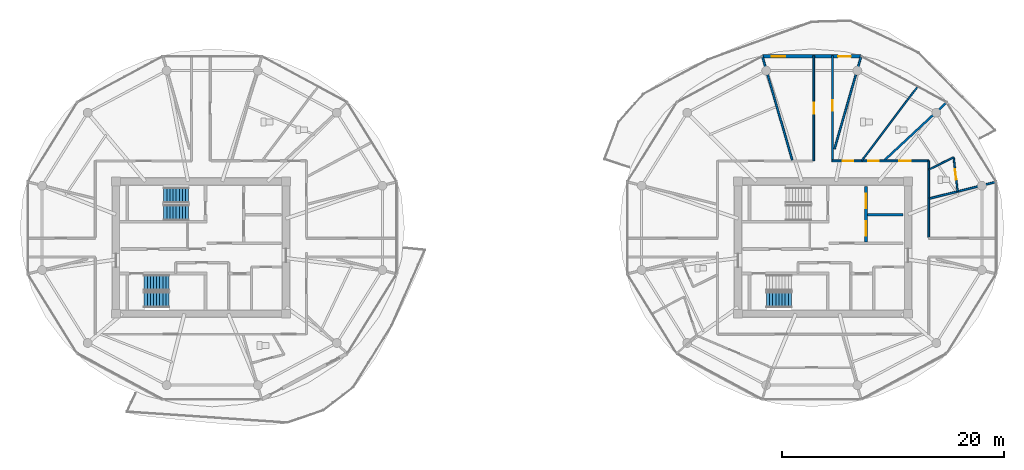
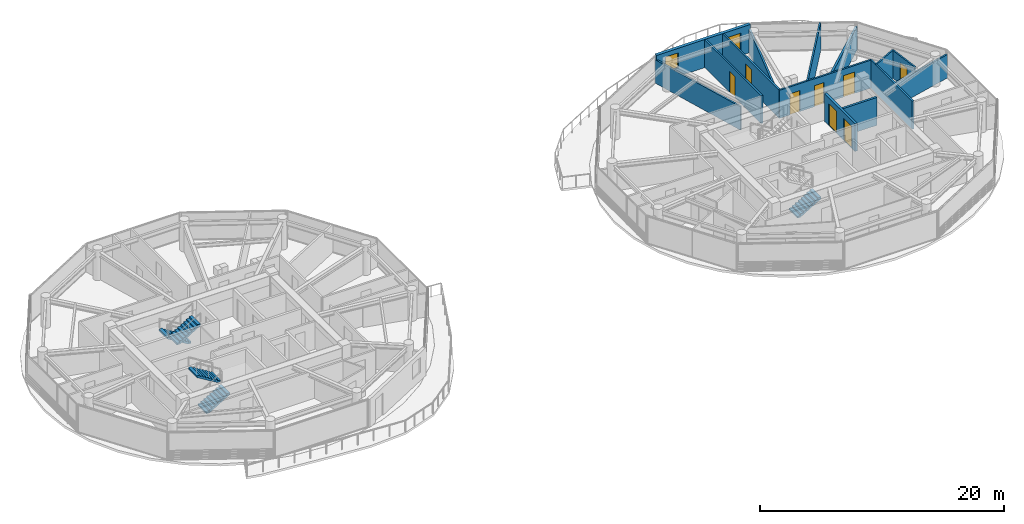
# One storey, part 16 of 23: 14 walls, 9 doors, 5 stair flights, 1 window, 10 openings, 3 elements without a shape of their own.
"""IFC4 building model written with IfcOpenShell, lengths in metres."""

from ifc_helpers import new_model, si_unit, direction, frame, frame_2d, origin, place, context, subcontext, project, spatial, polyline, rectangle, outline, extrude, source, transform, mapped, material, layer, layer_set, type_object, type_shapes, element, fill, aggregate, save


model = new_model("IFC4")

# Units and contexts
model_context = context("Model", 3, precision=1e-05, world=origin(), true_north=direction((0.0, 1.0)))
body_context = subcontext(model_context, "Body", "Model", "MODEL_VIEW")
ifc_project = project(units=[si_unit("LENGTHUNIT", "METRE"), si_unit("AREAUNIT", "SQUARE_METRE"), si_unit("VOLUMEUNIT", "CUBIC_METRE"), si_unit("PLANEANGLEUNIT", "RADIAN"), si_unit("MASSUNIT", "GRAM", prefix="KILO")], contexts=[model_context])

# Site, building, storey
site_placement = place(None, origin())
site = spatial("IfcSite", under=ifc_project, at=site_placement, CompositionType="ELEMENT")
building_placement = place(site_placement, origin())
building = spatial("IfcBuilding", under=site, at=building_placement, Name="Norrkilde Senior Care Towers", CompositionType="ELEMENT")
storey_placement = place(building_placement, frame((0.0, 0.0, 177.0)))
storey = spatial("IfcBuildingStorey", under=building, at=storey_placement, Name="L55", CompositionType="ELEMENT", Elevation=177.0)

# Wall, openings, door, window
ifc_material_1 = material(Name="Precast concrete C45/55", Category="concrete")
ifc_layer_1 = layer(ifc_material_1, 0.2900390625)
ifc_layer_set_1 = layer_set([ifc_layer_1], Name="Precast concrete C45/55")
wall_type_1 = type_object("IfcWallType", Name="Winter Garden Facade Wall 290", PredefinedType="SOLIDWALL", material=ifc_layer_set_1)
shared_shape_1 = source(origin(), body_context, "Body", "SweptSolid", [
    extrude(rectangle(XDim=8.89306640625, YDim=0.2900390625, at=frame_2d((4.446533203125, 0.0))), origin(), (0.0, 0.0, 1.0), 2.81005859375),
])
type_shapes(wall_type_1, [shared_shape_1])
wall_1_placement = place(storey_placement, frame((22.528564453125, 17.2109375, 0.0), z_axis=(0.0, 0.0, 1.0), x_axis=(1.0, 0.0, 0.0)))
wall_1 = element("IfcWall", 1, at=wall_1_placement, inside=storey, type_object=wall_type_1, Name="L55 Drum E Balcony Access Wall 02", PredefinedType="SOLIDWALL", context=body_context, shape_type="MappedRepresentation", body=[
    mapped(shared_shape_1, transform((0.0, 0.0, 0.0), x_axis=(1.0, 0.0, 0.0), y_axis=(0.0, 1.0, 0.0), z_axis=(0.0, 0.0, 1.0), scale=1.0)),
])
opening_1_placement = place(wall_1_placement, frame((6.820068359375, 0.0, 0.0)))
opening_1 = element("IfcOpeningElement", 2, at=opening_1_placement, cuts=wall_1, Name="Opening D-09", PredefinedType="OPENING", context=body_context, shape_type="SweptSolid", body=[
    extrude(rectangle(XDim=1.14990234375, YDim=2.25, at=frame_2d((0.574951171875, 1.125))), frame((0.0, 0.155029296875, 0.0), z_axis=(0.0, -1.0, 0.0), x_axis=(1.0, 0.0, 0.0)), (0.0, 0.0, 1.0), 0.31005859375),
])
opening_2_placement = place(wall_1_placement, frame((0.85009765625, 0.0, 0.85009765625)))
opening_2 = element("IfcOpeningElement", 3, at=opening_2_placement, cuts=wall_1, Name="Opening WN-07", PredefinedType="OPENING", context=body_context, shape_type="SweptSolid", body=[
    extrude(rectangle(XDim=1.199951171875, YDim=1.5, at=frame_2d((0.60009765625, 0.75))), frame((0.0, 0.155029296875, 0.0), z_axis=(0.0, -1.0, 0.0), x_axis=(1.0, 0.0, 0.0)), (0.0, 0.0, 1.0), 0.31005859375),
])
ifc_material_2 = material(Name="Anodised Aluminium", Category="aluminium")
door_type_1 = type_object("IfcDoorType", Name="Terrace and Balcony Glazed Door 1150x2250", OperationType="NOTDEFINED", PredefinedType="DOOR", material=ifc_material_2)
shared_shape_2 = source(origin(), body_context, "Body", "SweptSolid", [
    extrude(rectangle(XDim=1.14990234375, YDim=2.25, at=frame_2d((0.574951171875, 1.125))), frame((0.0, 0.02490234375, 0.0), z_axis=(0.0, -1.0, 0.0), x_axis=(1.0, 0.0, 0.0)), (0.0, 0.0, 1.0), 0.050048828125),
])
type_shapes(door_type_1, [shared_shape_2])
door_1_placement = place(opening_1_placement, origin())
door_1 = element("IfcDoor", 4, at=door_1_placement, inside=storey, type_object=door_type_1, Name="L55 Drum E Outdoor Terrace Door 02", OperationType="SINGLE_SWING_LEFT", OverallHeight=2.25, OverallWidth=1.14990234375, PredefinedType="DOOR", context=body_context, shape_type="MappedRepresentation", body=[
    mapped(shared_shape_2, transform((0.0, 0.0, 0.0), x_axis=(1.0, 0.0, 0.0), y_axis=(0.0, 1.0, 0.0), z_axis=(0.0, 0.0, 1.0), scale=1.0)),
])
fill(opening_1, door_1)
ifc_material_3 = material(Name="Triple Low-E Insulated Glazing", Category="glass")
window_type = type_object("IfcWindowType", Name="Stairwell Smoke Vent Window 1200x1500", PartitioningType="SINGLE_PANEL", PredefinedType="WINDOW", material=ifc_material_3)
shared_shape_3 = source(origin(), body_context, "Body", "SweptSolid", [
    extrude(rectangle(XDim=1.199951171875, YDim=1.5, at=frame_2d((0.60009765625, 0.75))), frame((0.0, 0.030029296875, 0.0), z_axis=(0.0, -1.0, 0.0), x_axis=(1.0, 0.0, 0.0)), (0.0, 0.0, 1.0), 0.06005859375),
])
type_shapes(window_type, [shared_shape_3])
window_placement = place(opening_2_placement, origin())
window = element("IfcWindow", 5, at=window_placement, inside=storey, type_object=window_type, Name="L55 Drum E Winter Garden Window 02", OverallHeight=1.5, OverallWidth=1.199951171875, PartitioningType="SINGLE_PANEL", PredefinedType="WINDOW", context=body_context, shape_type="MappedRepresentation", body=[
    mapped(shared_shape_3, transform((0.0, 0.0, 0.0), x_axis=(1.0, 0.0, 0.0), y_axis=(0.0, 1.0, 0.0), z_axis=(0.0, 0.0, 1.0), scale=1.0)),
])
fill(opening_2, window)

# Wall, openings, doors
ifc_material_4 = material(Name="Concrete C45/55", Category="concrete")
ifc_layer_2 = layer(ifc_material_4, 0.239990234375)
ifc_layer_set_2 = layer_set([ifc_layer_2], Name="Concrete C45/55")
wall_type_2 = type_object("IfcWallType", Name="Lift and Plant Rated Enclosure Partition 240", PredefinedType="PARTITIONING", material=ifc_layer_set_2)
shared_shape_4 = source(origin(), body_context, "Body", "SweptSolid", [
    extrude(rectangle(XDim=5.0, YDim=0.239990234375, at=frame_2d((2.5, 0.0))), origin(), (0.0, 0.0, 1.0), 2.794921875),
])
type_shapes(wall_type_2, [shared_shape_4])
wall_2_placement = place(storey_placement, frame((31.860107421875, 0.5, 0.0), z_axis=(0.0, 0.0, 1.0), x_axis=(0.0, 1.0, 0.0)))
wall_2 = element("IfcWall", 6, at=wall_2_placement, inside=storey, type_object=wall_type_2, Name="WL-INT-L55-E-FFLE", PredefinedType="PARTITIONING", context=body_context, shape_type="MappedRepresentation", body=[
    mapped(shared_shape_4, transform((0.0, 0.0, 0.0), x_axis=(1.0, 0.0, 0.0), y_axis=(0.0, 1.0, 0.0), z_axis=(0.0, 0.0, 1.0), scale=1.0)),
])
opening_3_placement = place(wall_2_placement, frame((3.050048828125, 0.0, 0.0)))
opening_3 = element("IfcOpeningElement", 7, at=opening_3_placement, cuts=wall_2, Name="Opening LD-02", PredefinedType="OPENING", context=body_context, shape_type="SweptSolid", body=[
    extrude(rectangle(XDim=1.300048828125, YDim=2.199951171875, at=frame_2d((0.64990234375, 1.10009765625))), frame((0.0, 0.1298828125, 0.0), z_axis=(0.0, -1.0, 0.0), x_axis=(1.0, 0.0, 0.0)), (0.0, 0.0, 1.0), 0.260009765625),
])
opening_4_placement = place(wall_2_placement, frame((0.550048828125, 0.0, 0.0)))
opening_4 = element("IfcOpeningElement", 8, at=opening_4_placement, cuts=wall_2, Name="Opening LD-02", PredefinedType="OPENING", context=body_context, shape_type="SweptSolid", body=[
    extrude(rectangle(XDim=1.300048828125, YDim=2.199951171875, at=frame_2d((0.64990234375, 1.10009765625))), frame((0.0, 0.1298828125, 0.0), z_axis=(0.0, -1.0, 0.0), x_axis=(1.0, 0.0, 0.0)), (0.0, 0.0, 1.0), 0.260009765625),
])
ifc_material_5 = material(Name="Stainless Steel", Category="steel")
door_type_2 = type_object("IfcDoorType", Name="Stretcher and FFL Landing Sliding Door 1300x2200", OperationType="NOTDEFINED", PredefinedType="DOOR", material=ifc_material_5)
shared_shape_5 = source(origin(), body_context, "Body", "SweptSolid", [
    extrude(rectangle(XDim=1.300048828125, YDim=2.199951171875, at=frame_2d((0.64990234375, 1.10009765625))), frame((0.0, 0.02490234375, 0.0), z_axis=(0.0, -1.0, 0.0), x_axis=(1.0, 0.0, 0.0)), (0.0, 0.0, 1.0), 0.050048828125),
])
type_shapes(door_type_2, [shared_shape_5])
door_2_placement = place(opening_3_placement, origin())
door_2 = element("IfcDoor", 9, at=door_2_placement, inside=storey, type_object=door_type_2, Name="L55 Firefighting Lift E1 Landing Door", OperationType="SLIDING_TO_LEFT", OverallHeight=2.199951171875, OverallWidth=1.300048828125, PredefinedType="DOOR", context=body_context, shape_type="MappedRepresentation", body=[
    mapped(shared_shape_5, transform((0.0, 0.0, 0.0), x_axis=(1.0, 0.0, 0.0), y_axis=(0.0, 1.0, 0.0), z_axis=(0.0, 0.0, 1.0), scale=1.0)),
])
fill(opening_3, door_2)
door_3_placement = place(opening_4_placement, origin())
door_3 = element("IfcDoor", 10, at=door_3_placement, inside=storey, type_object=door_type_2, Name="L55 Stretcher Lift E1 Landing Door", OperationType="SLIDING_TO_RIGHT", OverallHeight=2.199951171875, OverallWidth=1.300048828125, PredefinedType="DOOR", context=body_context, shape_type="MappedRepresentation", body=[
    mapped(shared_shape_5, transform((0.0, 0.0, 0.0), x_axis=(1.0, 0.0, 0.0), y_axis=(0.0, 1.0, 0.0), z_axis=(0.0, 0.0, 1.0), scale=1.0)),
])
fill(opening_4, door_3)

# Walls
ifc_layer_3 = layer(ifc_material_4, 0.199951171875)
ifc_layer_set_3 = layer_set([ifc_layer_3], Name="Concrete C45/55")
wall_type_3 = type_object("IfcWallType", Name="Shaft Division and Plant Partition 200", PredefinedType="PARTITIONING", material=ifc_layer_set_3)
shared_shape_6 = source(origin(), body_context, "Body", "SweptSolid", [
    extrude(rectangle(XDim=3.199951171875, YDim=0.199951171875, at=frame_2d((1.60009765625, 0.0))), origin(), (0.0, 0.0, 1.0), 2.794921875),
])
type_shapes(wall_type_3, [shared_shape_6])
wall_3_placement = place(storey_placement, frame((32.0, 2.949951171875, 0.0), z_axis=(0.0, 0.0, 1.0), x_axis=(1.0, 0.0, 0.0)))
element("IfcWall", 11, at=wall_3_placement, inside=storey, type_object=wall_type_3, Name="WL-INT-L55-E-FFLDIV", PredefinedType="PARTITIONING", context=body_context, shape_type="MappedRepresentation", body=[
    mapped(shared_shape_6, transform((0.0, 0.0, 0.0), x_axis=(1.0, 0.0, 0.0), y_axis=(0.0, 1.0, 0.0), z_axis=(0.0, 0.0, 1.0), scale=1.0)),
])
ifc_material_6 = material(Name="Gypsum Acoustic Board")
ifc_layer_4 = layer(ifc_material_6, 0.1650390625)
ifc_layer_set_4 = layer_set([ifc_layer_4], Name="Gypsum Acoustic Board")
wall_type_4 = type_object("IfcWallType", Name="Corridor Rated Partition 165", PredefinedType="PARTITIONING", material=ifc_layer_set_4)
shared_shape_7 = source(origin(), body_context, "Body", "SweptSolid", [
    extrude(rectangle(XDim=9.73046875, YDim=0.1650390625, at=frame_2d((4.865234375, 0.0))), origin(), (0.0, 0.0, 1.0), 2.344970703125),
])
wall_4_placement = place(storey_placement, frame((25.216552734375, 7.8798828125, 0.0), z_axis=(0.0, 0.0, 1.0), x_axis=(-0.27679492614, 0.960929013436, 0.0)))
element("IfcWall", 12, at=wall_4_placement, inside=storey, type_object=wall_type_4, Name="WL-INT-L55-E-DEM-03-0", PredefinedType="PARTITIONING", context=body_context, shape_type="MappedRepresentation", body=[
    mapped(shared_shape_7, transform((0.0, 0.0, 0.0), x_axis=(1.0, 0.0, 0.0), y_axis=(0.0, 1.0, 0.0), z_axis=(0.0, 0.0, 1.0), scale=1.0)),
])

# Wall, openings, doors
shared_shape_8 = source(origin(), body_context, "Body", "SweptSolid", [
    extrude(rectangle(XDim=8.719482421875, YDim=0.1650390625, at=frame_2d((4.35986328125, 0.0))), origin(), (0.0, 0.0, 1.0), 2.794921875),
])
wall_5_placement = place(storey_placement, frame((28.780517578125, 7.800048828125, 0.0), z_axis=(0.0, 0.0, 1.0), x_axis=(1.0, 0.0, 0.0)))
wall_5 = element("IfcWall", 13, at=wall_5_placement, inside=storey, type_object=wall_type_4, Name="WL-INT-L55-E-CRW-N-1", PredefinedType="PARTITIONING", context=body_context, shape_type="MappedRepresentation", body=[
    mapped(shared_shape_8, transform((0.0, 0.0, 0.0), x_axis=(1.0, 0.0, 0.0), y_axis=(0.0, 1.0, 0.0), z_axis=(0.0, 0.0, 1.0), scale=1.0)),
])
opening_5_placement = place(wall_5_placement, frame((6.054443359375, 0.0, 0.0)))
opening_5 = element("IfcOpeningElement", 14, at=opening_5_placement, cuts=wall_5, Name="Opening D-06", PredefinedType="OPENING", context=body_context, shape_type="SweptSolid", body=[
    extrude(rectangle(XDim=1.050048828125, YDim=2.14990234375, at=frame_2d((0.52490234375, 1.074951171875))), frame((0.0, 0.092529296875, 0.0), z_axis=(0.0, -1.0, 0.0), x_axis=(1.0, 0.0, 0.0)), (0.0, 0.0, 1.0), 0.18505859375),
])
opening_6_placement = place(wall_5_placement, frame((3.286865234375, 0.0, 0.0)))
opening_6 = element("IfcOpeningElement", 15, at=opening_6_placement, cuts=wall_5, Name="Opening D-08", PredefinedType="OPENING", context=body_context, shape_type="SweptSolid", body=[
    extrude(rectangle(XDim=0.919921875, YDim=2.10009765625, at=frame_2d((0.4599609375, 1.050048828125))), frame((0.0, 0.092529296875, 0.0), z_axis=(0.0, -1.0, 0.0), x_axis=(1.0, 0.0, 0.0)), (0.0, 0.0, 1.0), 0.18505859375),
])
opening_7_placement = place(wall_5_placement, frame((1.0, 0.0, 0.0)))
opening_7 = element("IfcOpeningElement", 16, at=opening_7_placement, cuts=wall_5, Name="Opening D-08", PredefinedType="OPENING", context=body_context, shape_type="SweptSolid", body=[
    extrude(rectangle(XDim=0.919921875, YDim=2.10009765625, at=frame_2d((0.4599609375, 1.050048828125))), frame((0.0, 0.092529296875, 0.0), z_axis=(0.0, -1.0, 0.0), x_axis=(1.0, 0.0, 0.0)), (0.0, 0.0, 1.0), 0.18505859375),
])
ifc_material_7 = material(Name="Nordic Ash Timber", Category="wood")
door_type_3 = type_object("IfcDoorType", Name="Accessible Wet Room Door 920x2100", OperationType="NOTDEFINED", PredefinedType="DOOR", material=ifc_material_7)
shared_shape_9 = source(origin(), body_context, "Body", "SweptSolid", [
    extrude(rectangle(XDim=0.919921875, YDim=2.10009765625, at=frame_2d((0.4599609375, 1.050048828125))), frame((0.0, 0.02490234375, 0.0), z_axis=(0.0, -1.0, 0.0), x_axis=(1.0, 0.0, 0.0)), (0.0, 0.0, 1.0), 0.050048828125),
])
type_shapes(door_type_3, [shared_shape_9])
door_4_placement = place(opening_6_placement, frame((0.919921875, 0.0, 0.0), z_axis=(0.0, 0.0, 1.0), x_axis=(-1.0, 0.0, 0.0)))
door_4 = element("IfcDoor", 17, at=door_4_placement, inside=storey, type_object=door_type_3, Name="L55 Accessible Restroom Door", OperationType="SINGLE_SWING_RIGHT", OverallHeight=2.10009765625, OverallWidth=0.919921875, PredefinedType="DOOR", context=body_context, shape_type="MappedRepresentation", body=[
    mapped(shared_shape_9, transform((0.0, 0.0, 0.0), x_axis=(1.0, 0.0, 0.0), y_axis=(0.0, 1.0, 0.0), z_axis=(0.0, 0.0, 1.0), scale=1.0)),
])
fill(opening_6, door_4)
door_5_placement = place(opening_7_placement, frame((0.919921875, 0.0, 0.0), z_axis=(0.0, 0.0, 1.0), x_axis=(-1.0, 0.0, 0.0)))
door_5 = element("IfcDoor", 18, at=door_5_placement, inside=storey, type_object=door_type_3, Name="L55 Public Restroom Door", OperationType="SINGLE_SWING_LEFT", OverallHeight=2.10009765625, OverallWidth=0.919921875, PredefinedType="DOOR", context=body_context, shape_type="MappedRepresentation", body=[
    mapped(shared_shape_9, transform((0.0, 0.0, 0.0), x_axis=(1.0, 0.0, 0.0), y_axis=(0.0, 1.0, 0.0), z_axis=(0.0, 0.0, 1.0), scale=1.0)),
])
fill(opening_7, door_5)
door_type_4 = type_object("IfcDoorType", Name="Apartment Entrance Fire Door 1050x2150", OperationType="NOTDEFINED", PredefinedType="DOOR", material=ifc_material_7)
shared_shape_10 = source(origin(), body_context, "Body", "SweptSolid", [
    extrude(rectangle(XDim=1.050048828125, YDim=2.14990234375, at=frame_2d((0.52490234375, 1.074951171875))), frame((0.0, 0.02490234375, 0.0), z_axis=(0.0, -1.0, 0.0), x_axis=(1.0, 0.0, 0.0)), (0.0, 0.0, 1.0), 0.050048828125),
])
type_shapes(door_type_4, [shared_shape_10])
door_6_placement = place(opening_5_placement, frame((1.050048828125, 0.0, 0.0), z_axis=(0.0, 0.0, 1.0), x_axis=(-1.0, 0.0, 0.0)))
door_6 = element("IfcDoor", 19, at=door_6_placement, inside=storey, type_object=door_type_4, Name="L55 Studio 55A Entrance Door", OperationType="SINGLE_SWING_LEFT", OverallHeight=2.14990234375, OverallWidth=1.050048828125, PredefinedType="DOOR", context=body_context, shape_type="MappedRepresentation", body=[
    mapped(shared_shape_10, transform((0.0, 0.0, 0.0), x_axis=(1.0, 0.0, 0.0), y_axis=(0.0, 1.0, 0.0), z_axis=(0.0, 0.0, 1.0), scale=1.0)),
])
fill(opening_5, door_6)

# Walls
ifc_layer_5 = layer(ifc_material_6, 0.18994140625)
ifc_layer_set_5 = layer_set([ifc_layer_5], Name="Gypsum Acoustic Board")
wall_type_5 = type_object("IfcWallType", Name="Unit Demising Acoustic Wall 190", PredefinedType="PARTITIONING", material=ifc_layer_set_5)
shared_shape_11 = source(origin(), body_context, "Body", "SweptSolid", [
    extrude(rectangle(XDim=7.64794921875, YDim=0.18994140625, at=frame_2d((3.823974609375, 0.0))), origin(), (0.0, 0.0, 1.0), 2.344970703125),
])
type_shapes(wall_type_5, [shared_shape_11])
wall_6_placement = place(storey_placement, frame((33.53759765625, 7.8798828125, 0.0), z_axis=(0.0, 0.0, 1.0), x_axis=(0.732167856666, 0.681124239522, 0.0)))
element("IfcWall", 20, at=wall_6_placement, inside=storey, type_object=wall_type_5, Name="WL-INT-L55-E-DEM-01-0", PredefinedType="PARTITIONING", context=body_context, shape_type="MappedRepresentation", body=[
    mapped(shared_shape_11, transform((0.0, 0.0, 0.0), x_axis=(1.0, 0.0, 0.0), y_axis=(0.0, 1.0, 0.0), z_axis=(0.0, 0.0, 1.0), scale=1.0)),
])
ifc_layer_6 = layer(ifc_material_6, 0.139892578125)
ifc_layer_set_6 = layer_set([ifc_layer_6], Name="Gypsum Acoustic Board")
wall_type_6 = type_object("IfcWallType", Name="En-suite Wet Room Wall 140", PredefinedType="PARTITIONING", material=ifc_layer_set_6)
shared_shape_12 = source(origin(), body_context, "Body", "SweptSolid", [
    extrude(rectangle(XDim=2.470703125, YDim=0.139892578125, at=frame_2d((1.2353515625, 0.0))), origin(), (0.0, 0.0, 1.0), 2.794921875),
])
wall_7_placement = place(storey_placement, frame((37.530029296875, 7.026123046875, 0.0), z_axis=(0.0, 0.0, 1.0), x_axis=(0.895295102372, 0.445473545419, 0.0)))
element("IfcWall", 21, at=wall_7_placement, inside=storey, type_object=wall_type_6, Name="WL-INT-L55-E-ES-00", PredefinedType="PARTITIONING", context=body_context, shape_type="MappedRepresentation", body=[
    mapped(shared_shape_12, transform((0.0, 0.0, 0.0), x_axis=(1.0, 0.0, 0.0), y_axis=(0.0, 1.0, 0.0), z_axis=(0.0, 0.0, 1.0), scale=1.0)),
])
shared_shape_13 = source(origin(), body_context, "Body", "SweptSolid", [
    extrude(rectangle(XDim=8.695068359375, YDim=0.1650390625, at=frame_2d((4.34765625, 0.0))), origin(), (0.0, 0.0, 1.0), 2.344970703125),
])
wall_8_placement = place(storey_placement, frame((29.02001953125, 8.875, 0.0), z_axis=(0.0, 0.0, 1.0), x_axis=(0.276797231892, 0.960928349263, 0.0)))
element("IfcWall", 22, at=wall_8_placement, inside=storey, type_object=wall_type_4, Name="WL-INT-L55-E-DEM-02-0", PredefinedType="PARTITIONING", context=body_context, shape_type="MappedRepresentation", body=[
    mapped(shared_shape_13, transform((0.0, 0.0, 0.0), x_axis=(1.0, 0.0, 0.0), y_axis=(0.0, 1.0, 0.0), z_axis=(0.0, 0.0, 1.0), scale=1.0)),
])
shared_shape_14 = source(origin(), body_context, "Body", "SweptSolid", [
    extrude(rectangle(XDim=6.192626953125, YDim=0.1650390625, at=frame_2d((3.09619140625, 0.0))), origin(), (0.0, 0.0, 1.0), 2.344970703125),
])
wall_9_placement = place(storey_placement, frame((37.580078125, 4.418701171875, 0.0), z_axis=(0.0, 0.0, 1.0), x_axis=(0.970309243466, 0.241867674657, 0.0)))
element("IfcWall", 23, at=wall_9_placement, inside=storey, type_object=wall_type_4, Name="WL-INT-L55-E-DEM-00-0", PredefinedType="PARTITIONING", context=body_context, shape_type="MappedRepresentation", body=[
    mapped(shared_shape_14, transform((0.0, 0.0, 0.0), x_axis=(1.0, 0.0, 0.0), y_axis=(0.0, 1.0, 0.0), z_axis=(0.0, 0.0, 1.0), scale=1.0)),
])
shared_shape_15 = source(origin(), body_context, "Body", "SweptSolid", [
    extrude(rectangle(XDim=6.880126953125, YDim=0.1650390625, at=frame_2d((3.43994140625, 0.0))), origin(), (0.0, 0.0, 1.0), 2.794921875),
])
wall_10_placement = place(storey_placement, frame((37.5, 7.800048828125, 0.0), z_axis=(0.0, 0.0, 1.0), x_axis=(0.0, -1.0, 0.0)))
element("IfcWall", 24, at=wall_10_placement, inside=storey, type_object=wall_type_4, Name="WL-INT-L55-E-CRW-E-0", PredefinedType="PARTITIONING", context=body_context, shape_type="MappedRepresentation", body=[
    mapped(shared_shape_15, transform((0.0, 0.0, 0.0), x_axis=(1.0, 0.0, 0.0), y_axis=(0.0, 1.0, 0.0), z_axis=(0.0, 0.0, 1.0), scale=1.0)),
])

# Wall, opening, door
shared_shape_16 = source(origin(), body_context, "Body", "SweptSolid", [
    extrude(rectangle(XDim=9.480224609375, YDim=0.1650390625, at=frame_2d((4.740234375, 0.0))), origin(), (0.0, 0.0, 1.0), 2.794921875),
])
type_shapes(wall_type_4, [shared_shape_7, shared_shape_8, shared_shape_13, shared_shape_14, shared_shape_15, shared_shape_16])
wall_11_placement = place(storey_placement, frame((27.159912109375, 7.800048828125, 0.0), z_axis=(0.0, 0.0, 1.0), x_axis=(0.0, 1.0, 0.0)))
wall_11 = element("IfcWall", 25, at=wall_11_placement, inside=storey, type_object=wall_type_4, Name="WL-INT-L55-E-SPK-N1-0", PredefinedType="PARTITIONING", context=body_context, shape_type="MappedRepresentation", body=[
    mapped(shared_shape_16, transform((0.0, 0.0, 0.0), x_axis=(1.0, 0.0, 0.0), y_axis=(0.0, 1.0, 0.0), z_axis=(0.0, 0.0, 1.0), scale=1.0)),
])
opening_8_placement = place(wall_11_placement, frame((4.26513671875, 0.0, 0.0)))
opening_8 = element("IfcOpeningElement", 26, at=opening_8_placement, cuts=wall_11, Name="Opening D-07", PredefinedType="OPENING", context=body_context, shape_type="SweptSolid", body=[
    extrude(rectangle(XDim=0.949951171875, YDim=2.10009765625, at=frame_2d((0.47509765625, 1.050048828125))), frame((0.0, 0.092529296875, 0.0), z_axis=(0.0, -1.0, 0.0), x_axis=(1.0, 0.0, 0.0)), (0.0, 0.0, 1.0), 0.18505859375),
])
door_type_5 = type_object("IfcDoorType", Name="Internal Suite Bedroom Door 950x2100", OperationType="NOTDEFINED", PredefinedType="DOOR", material=ifc_material_7)
shared_shape_17 = source(origin(), body_context, "Body", "SweptSolid", [
    extrude(rectangle(XDim=0.949951171875, YDim=2.10009765625, at=frame_2d((0.47509765625, 1.050048828125))), frame((0.0, 0.02490234375, 0.0), z_axis=(0.0, -1.0, 0.0), x_axis=(1.0, 0.0, 0.0)), (0.0, 0.0, 1.0), 0.050048828125),
])
type_shapes(door_type_5, [shared_shape_17])
door_7_placement = place(opening_8_placement, frame((0.949951171875, 0.0, 0.0), z_axis=(0.0, 0.0, 1.0), x_axis=(-1.0, 0.0, 0.0)))
door_7 = element("IfcDoor", 27, at=door_7_placement, inside=storey, type_object=door_type_5, Name="L55 Sun Reading Lounge 3 Door", OperationType="SINGLE_SWING_RIGHT", OverallHeight=2.10009765625, OverallWidth=0.949951171875, PredefinedType="DOOR", context=body_context, shape_type="MappedRepresentation", body=[
    mapped(shared_shape_17, transform((0.0, 0.0, 0.0), x_axis=(1.0, 0.0, 0.0), y_axis=(0.0, 1.0, 0.0), z_axis=(0.0, 0.0, 1.0), scale=1.0)),
])
fill(opening_8, door_7)

wall_12_placement = place(storey_placement, frame((28.840087890625, 17.2802734375, 0.0), z_axis=(0.0, 0.0, 1.0), x_axis=(0.0, -1.0, 0.0)))
wall_12 = element("IfcWall", 28, at=wall_12_placement, inside=storey, type_object=wall_type_4, Name="WL-INT-L55-E-SPK-N2-0", PredefinedType="PARTITIONING", context=body_context, shape_type="MappedRepresentation", body=[
    mapped(shared_shape_16, transform((0.0, 0.0, 0.0), x_axis=(1.0, 0.0, 0.0), y_axis=(0.0, 1.0, 0.0), z_axis=(0.0, 0.0, 1.0), scale=1.0)),
])
opening_9_placement = place(wall_12_placement, frame((4.009765625, 0.0, 0.0)))
opening_9 = element("IfcOpeningElement", 29, at=opening_9_placement, cuts=wall_12, Name="Opening D-07", PredefinedType="OPENING", context=body_context, shape_type="SweptSolid", body=[
    extrude(rectangle(XDim=0.949951171875, YDim=2.10009765625, at=frame_2d((0.47509765625, 1.050048828125))), frame((0.0, 0.092529296875, 0.0), z_axis=(0.0, -1.0, 0.0), x_axis=(1.0, 0.0, 0.0)), (0.0, 0.0, 1.0), 0.18505859375),
])
door_8_placement = place(opening_9_placement, frame((0.949951171875, 0.0, 0.0), z_axis=(0.0, 0.0, 1.0), x_axis=(-1.0, 0.0, 0.0)))
door_8 = element("IfcDoor", 30, at=door_8_placement, inside=storey, type_object=door_type_5, Name="L55 Sun Reading Lounge 4 Door", OperationType="SINGLE_SWING_LEFT", OverallHeight=2.10009765625, OverallWidth=0.949951171875, PredefinedType="DOOR", context=body_context, shape_type="MappedRepresentation", body=[
    mapped(shared_shape_17, transform((0.0, 0.0, 0.0), x_axis=(1.0, 0.0, 0.0), y_axis=(0.0, 1.0, 0.0), z_axis=(0.0, 0.0, 1.0), scale=1.0)),
])
fill(opening_9, door_8)

# Wall
shared_shape_18 = source(origin(), body_context, "Body", "SweptSolid", [
    extrude(rectangle(XDim=8.359375, YDim=0.139892578125, at=frame_2d((4.1796875, 0.0))), origin(), (0.0, 0.0, 1.0), 2.794921875),
])
wall_13_placement = place(storey_placement, frame((31.47265625, 7.830078125, 0.0), z_axis=(0.0, 0.0, 1.0), x_axis=(0.603265985309, 0.797540062297, 0.0)))
element("IfcWall", 31, at=wall_13_placement, inside=storey, type_object=wall_type_6, Name="WL-INT-L55-E-MID-01", PredefinedType="PARTITIONING", context=body_context, shape_type="MappedRepresentation", body=[
    mapped(shared_shape_18, transform((0.0, 0.0, 0.0), x_axis=(1.0, 0.0, 0.0), y_axis=(0.0, 1.0, 0.0), z_axis=(0.0, 0.0, 1.0), scale=1.0)),
])

# Wall, opening, door
shared_shape_19 = source(origin(), body_context, "Body", "SweptSolid", [
    extrude(rectangle(XDim=3.10107421875, YDim=0.139892578125, at=frame_2d((1.550537109375, 0.0))), origin(), (0.0, 0.0, 1.0), 2.794921875),
])
type_shapes(wall_type_6, [shared_shape_12, shared_shape_18, shared_shape_19])
wall_14_placement = place(storey_placement, frame((39.741943359375, 8.126708984375, 0.0), z_axis=(0.0, 0.0, 1.0), x_axis=(0.116754457614, -0.993160811061, 0.0)))
wall_14 = element("IfcWall", 32, at=wall_14_placement, inside=storey, type_object=wall_type_6, Name="WL-INT-L55-E-EF-00", PredefinedType="PARTITIONING", context=body_context, shape_type="MappedRepresentation", body=[
    mapped(shared_shape_19, transform((0.0, 0.0, 0.0), x_axis=(1.0, 0.0, 0.0), y_axis=(0.0, 1.0, 0.0), z_axis=(0.0, 0.0, 1.0), scale=1.0)),
])
opening_10_placement = place(wall_14_placement, frame((1.09033203125, 0.0, 0.0)))
opening_10 = element("IfcOpeningElement", 33, at=opening_10_placement, cuts=wall_14, Name="Opening D-08", PredefinedType="OPENING", context=body_context, shape_type="SweptSolid", body=[
    extrude(rectangle(XDim=0.919921875, YDim=2.10009765625, at=frame_2d((0.4599609375, 1.050048828125))), frame((0.0, 0.079833984375, 0.0), z_axis=(0.0, -1.0, 0.0), x_axis=(1.0, 0.0, 0.0)), (0.0, 0.0, 1.0), 0.159912109375),
])
door_9_placement = place(opening_10_placement, origin())
door_9 = element("IfcDoor", 34, at=door_9_placement, inside=storey, type_object=door_type_3, Name="L55 Studio 55A Bathroom Door", OperationType="SINGLE_SWING_RIGHT", OverallHeight=2.10009765625, OverallWidth=0.919921875, PredefinedType="DOOR", context=body_context, shape_type="MappedRepresentation", body=[
    mapped(shared_shape_9, transform((0.0, 0.0, 0.0), x_axis=(1.0, 0.0, 0.0), y_axis=(0.0, 1.0, 0.0), z_axis=(0.0, 0.0, 1.0), scale=1.0)),
])
fill(opening_10, door_9)

# Stair, stair flights
stair_type = type_object("IfcStairType", Name="Core Protected Dogleg Stair Typical 3050", PredefinedType="HALF_TURN_STAIR", material=ifc_material_4)
stair_1_placement = place(storey_placement, origin())
stair_1 = element("IfcStair", 35, at=stair_1_placement, inside=storey, type_object=stair_type, Name="L55 Protected Core Stair W1", PredefinedType="HALF_TURN_STAIR")
stair_flight_type = type_object("IfcStairFlightType", Name="Core Protected Dogleg Stair Typical 3050 Flight", PredefinedType="STRAIGHT", material=ifc_material_4)
stair_flight_1_placement = place(storey_placement, frame((-29.10009765625, 4.699951171875, 0.0), z_axis=(0.0, 0.0, 1.0), x_axis=(-1.0, 0.0, 0.0)))
stair_flight_1 = element("IfcStairFlight", 36, at=stair_flight_1_placement, type_object=stair_flight_type, Name="ST-W1 flight 1", NumberOfRisers=9, NumberOfTreads=8, PredefinedType="STRAIGHT", RiserHeight=0.169444444, TreadLength=0.28, context=body_context, shape_type="SweptSolid", body=[
    extrude(outline(polyline([(0.0, 0.0), (0.0, 0.16943359375), (0.280029296875, 0.16943359375), (0.280029296875, 0.3388671875), (0.56005859375, 0.3388671875), (0.56005859375, 0.50830078125), (0.840087890625, 0.50830078125), (0.840087890625, 0.677734375), (1.1201171875, 0.677734375), (1.1201171875, 0.84716796875), (1.39990234375, 0.84716796875), (1.39990234375, 1.0166015625), (1.679931640625, 1.0166015625), (1.679931640625, 1.18603515625), (1.9599609375, 1.18603515625), (1.9599609375, 1.35546875), (2.239990234375, 1.35546875), (2.239990234375, 1.52490234375), (2.239990234375, 1.180419921875), (0.28955078125, 0.0), (0.0, 0.0)])), frame((0.0, 0.699951171875, 0.0), z_axis=(0.0, -1.0, 0.0), x_axis=(1.0, 0.0, 0.0)), (0.0, 0.0, 1.0), 1.39990234375),
])
stair_flight_2_placement = place(storey_placement, frame((-31.340087890625, 3.14990234375, 1.52490234375), z_axis=(0.0, 0.0, 1.0), x_axis=(1.0, 0.0, 0.0)))
stair_flight_2 = element("IfcStairFlight", 37, at=stair_flight_2_placement, type_object=stair_flight_type, Name="ST-W1 flight 2", NumberOfRisers=9, NumberOfTreads=8, PredefinedType="STRAIGHT", RiserHeight=0.169444444, TreadLength=0.28, context=body_context, shape_type="SweptSolid", body=[
    extrude(outline(polyline([(0.0, 0.0), (0.0, 0.16943359375), (0.280029296875, 0.16943359375), (0.280029296875, 0.3388671875), (0.56005859375, 0.3388671875), (0.56005859375, 0.50830078125), (0.840087890625, 0.50830078125), (0.840087890625, 0.677734375), (1.1201171875, 0.677734375), (1.1201171875, 0.84716796875), (1.39990234375, 0.84716796875), (1.39990234375, 1.0166015625), (1.679931640625, 1.0166015625), (1.679931640625, 1.18603515625), (1.9599609375, 1.18603515625), (1.9599609375, 1.35546875), (2.239990234375, 1.35546875), (2.239990234375, 1.52490234375), (2.239990234375, 1.180419921875), (0.28955078125, 0.0), (0.0, 0.0)])), frame((0.0, 0.699951171875, 0.0), z_axis=(0.0, -1.0, 0.0), x_axis=(1.0, 0.0, 0.0)), (0.0, 0.0, 1.0), 1.39990234375),
])
aggregate(stair_1, [stair_flight_1, stair_flight_2])

stair_2_placement = place(storey_placement, origin())
stair_2 = element("IfcStair", 38, at=stair_2_placement, inside=storey, type_object=stair_type, Name="L55 Protected Core Stair W2", PredefinedType="HALF_TURN_STAIR")
stair_flight_3_placement = place(storey_placement, frame((-33.10009765625, -4.699951171875, 0.0), z_axis=(0.0, 0.0, 1.0), x_axis=(1.0, 0.0, 0.0)))
stair_flight_3 = element("IfcStairFlight", 39, at=stair_flight_3_placement, type_object=stair_flight_type, Name="ST-W2 flight 1", NumberOfRisers=9, NumberOfTreads=8, PredefinedType="STRAIGHT", RiserHeight=0.169444444, TreadLength=0.28, context=body_context, shape_type="SweptSolid", body=[
    extrude(outline(polyline([(0.0, 0.0), (0.0, 0.16943359375), (0.280029296875, 0.16943359375), (0.280029296875, 0.3388671875), (0.56005859375, 0.3388671875), (0.56005859375, 0.50830078125), (0.840087890625, 0.50830078125), (0.840087890625, 0.677734375), (1.1201171875, 0.677734375), (1.1201171875, 0.84716796875), (1.39990234375, 0.84716796875), (1.39990234375, 1.0166015625), (1.679931640625, 1.0166015625), (1.679931640625, 1.18603515625), (1.9599609375, 1.18603515625), (1.9599609375, 1.35546875), (2.239990234375, 1.35546875), (2.239990234375, 1.52490234375), (2.239990234375, 1.180419921875), (0.28955078125, 0.0), (0.0, 0.0)])), frame((0.0, 0.699951171875, 0.0), z_axis=(0.0, -1.0, 0.0), x_axis=(1.0, 0.0, 0.0)), (0.0, 0.0, 1.0), 1.39990234375),
])
stair_flight_4_placement = place(storey_placement, frame((-30.860107421875, -3.14990234375, 1.52490234375), z_axis=(0.0, 0.0, 1.0), x_axis=(-1.0, 0.0, 0.0)))
stair_flight_4 = element("IfcStairFlight", 40, at=stair_flight_4_placement, type_object=stair_flight_type, Name="ST-W2 flight 2", NumberOfRisers=9, NumberOfTreads=8, PredefinedType="STRAIGHT", RiserHeight=0.169444444, TreadLength=0.28, context=body_context, shape_type="SweptSolid", body=[
    extrude(outline(polyline([(0.0, 0.0), (0.0, 0.16943359375), (0.280029296875, 0.16943359375), (0.280029296875, 0.3388671875), (0.56005859375, 0.3388671875), (0.56005859375, 0.50830078125), (0.840087890625, 0.50830078125), (0.840087890625, 0.677734375), (1.1201171875, 0.677734375), (1.1201171875, 0.84716796875), (1.39990234375, 0.84716796875), (1.39990234375, 1.0166015625), (1.679931640625, 1.0166015625), (1.679931640625, 1.18603515625), (1.9599609375, 1.18603515625), (1.9599609375, 1.35546875), (2.239990234375, 1.35546875), (2.239990234375, 1.52490234375), (2.239990234375, 1.180419921875), (0.28955078125, 0.0), (0.0, 0.0)])), frame((0.0, 0.699951171875, 0.0), z_axis=(0.0, -1.0, 0.0), x_axis=(1.0, 0.0, 0.0)), (0.0, 0.0, 1.0), 1.39990234375),
])
aggregate(stair_2, [stair_flight_3, stair_flight_4])

# Stair, stair flight
stair_3_placement = place(storey_placement, origin())
stair_3 = element("IfcStair", 41, at=stair_3_placement, inside=storey, type_object=stair_type, Name="L55 Protected Core Stair E2", PredefinedType="HALF_TURN_STAIR")
stair_flight_5_placement = place(storey_placement, frame((22.89990234375, -4.699951171875, 0.0), z_axis=(0.0, 0.0, 1.0), x_axis=(1.0, 0.0, 0.0)))
stair_flight_5 = element("IfcStairFlight", 42, at=stair_flight_5_placement, type_object=stair_flight_type, Name="ST-E2 flight 1", NumberOfRisers=9, NumberOfTreads=8, PredefinedType="STRAIGHT", RiserHeight=0.169444444, TreadLength=0.28, context=body_context, shape_type="SweptSolid", body=[
    extrude(outline(polyline([(0.0, 0.0), (0.0, 0.16943359375), (0.280029296875, 0.16943359375), (0.280029296875, 0.3388671875), (0.56005859375, 0.3388671875), (0.56005859375, 0.50830078125), (0.840087890625, 0.50830078125), (0.840087890625, 0.677734375), (1.1201171875, 0.677734375), (1.1201171875, 0.84716796875), (1.39990234375, 0.84716796875), (1.39990234375, 1.0166015625), (1.679931640625, 1.0166015625), (1.679931640625, 1.18603515625), (1.9599609375, 1.18603515625), (1.9599609375, 1.35546875), (2.239990234375, 1.35546875), (2.239990234375, 1.52490234375), (2.239990234375, 1.180419921875), (0.28955078125, 0.0), (0.0, 0.0)])), frame((0.0, 0.699951171875, 0.0), z_axis=(0.0, -1.0, 0.0), x_axis=(1.0, 0.0, 0.0)), (0.0, 0.0, 1.0), 1.39990234375),
])
aggregate(stair_3, [stair_flight_5])

save(model, "model.ifc")
